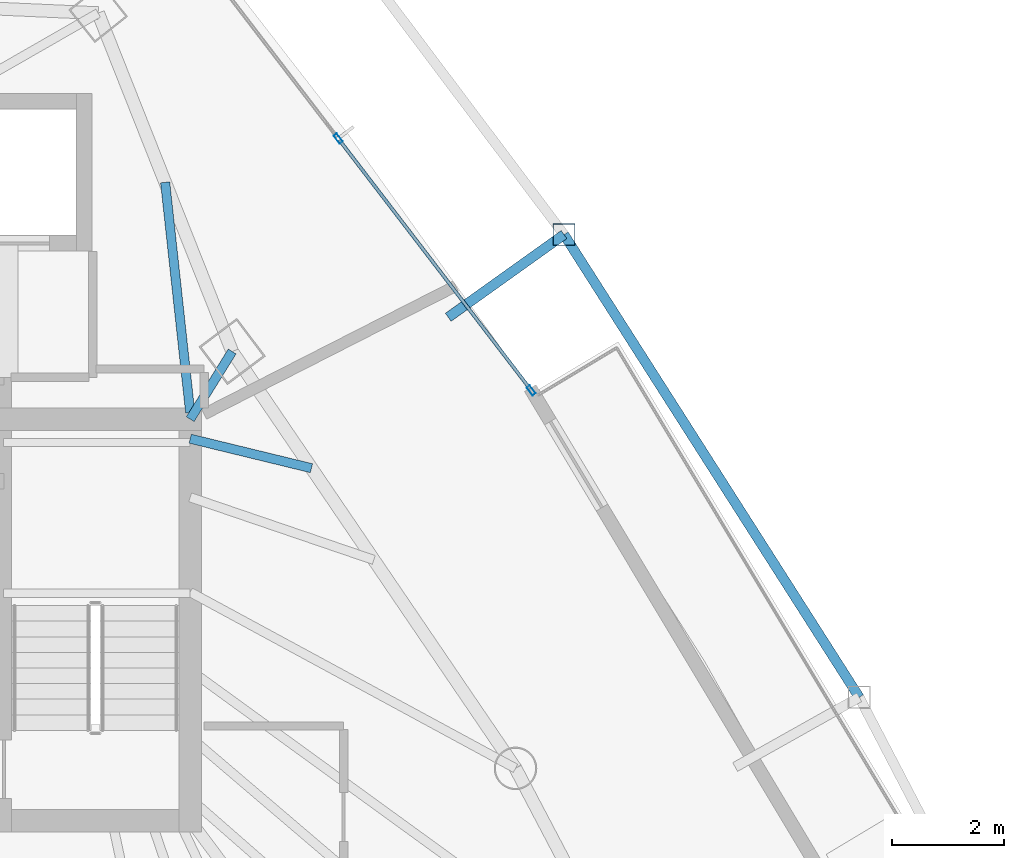
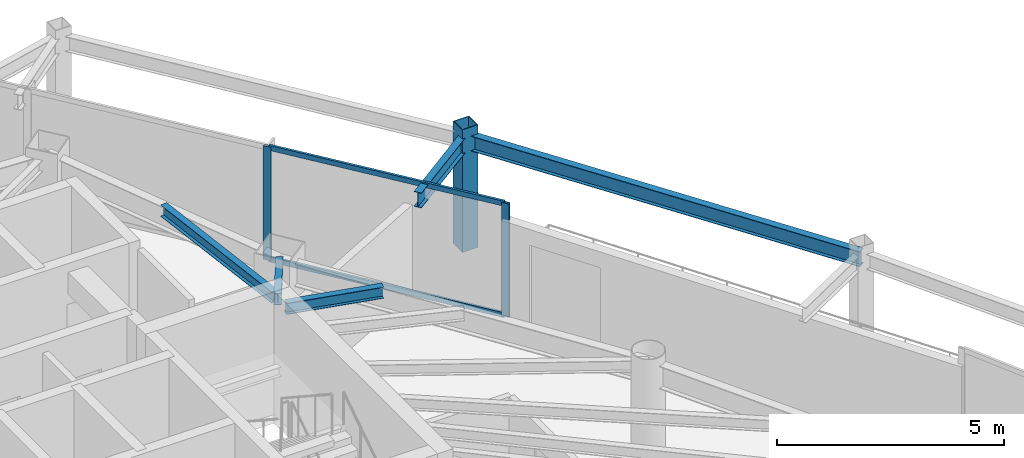
# One storey, part 24 of 31: 5 beams, 5 members, 1 element without a shape of its own.
"""IFC4 building model written with IfcOpenShell, lengths in metres."""

from ifc_helpers import new_model, si_unit, direction, frame, origin, origin_2d, place, context, subcontext, project, spatial, hollow_rectangle, i_section, extrude, material, layer, layer_set, material_profile, profile_set, type_object, element, aggregate, save


model = new_model("IFC4")

# Units and contexts
model_context = context("Model", 3, precision=1e-05, world=origin(), true_north=direction((0.0, 1.0)))
body_context = subcontext(model_context, "Body", "Model", "MODEL_VIEW")
ifc_project = project(units=[si_unit("LENGTHUNIT", "METRE"), si_unit("AREAUNIT", "SQUARE_METRE"), si_unit("VOLUMEUNIT", "CUBIC_METRE"), si_unit("PLANEANGLEUNIT", "RADIAN"), si_unit("MASSUNIT", "GRAM", prefix="KILO")], contexts=[model_context])

# Site, building, storey
site_placement = place(None, origin())
site = spatial("IfcSite", under=ifc_project, at=site_placement, CompositionType="ELEMENT")
building_placement = place(site_placement, origin())
building = spatial("IfcBuilding", under=site, at=building_placement, Name="Orvanel Arch Residences", CompositionType="ELEMENT")
storey_placement = place(building_placement, frame((0.0, 0.0, 126.5)))
storey = spatial("IfcBuildingStorey", under=building, at=storey_placement, Name="L35", CompositionType="ELEMENT", Elevation=126.5)

# Beams
ifc_material_1 = material(Name="Structural steel AS/NZS 3679.1 Grade 300 (300 MPa)", Category="steel")
ifc_material_profile_1 = material_profile(ifc_material_1, i_section(OverallWidth=0.1650390625, OverallDepth=0.303955078125, WebThickness=0.006103515625, FlangeThickness=0.01025390625, at=origin_2d()), Name="310UB40.4")
ifc_profile_set_1 = profile_set([ifc_material_profile_1], Name="Structural steel AS/NZS 3679.1 Grade 300 (300 MPa)")
beam_type_1 = type_object("IfcBeamType", Name="BJ-310UB", PredefinedType="JOIST", material=ifc_profile_set_1)
beam_1_placement = place(storey_placement, frame((39.60009765625, 33.89990234375, 2.907958984375), z_axis=(0.526843290616, 0.84996243866, 0.0), x_axis=(-0.84996243866, 0.526843290616, 0.0)))
element("IfcBeam", 1, at=beam_1_placement, inside=storey, type_object=beam_type_1, Name="L35 NNE Wing Floor Joist", PredefinedType="JOIST", context=body_context, shape_type="SweptSolid", body=[
    extrude(i_section(OverallWidth=0.1650390625, OverallDepth=0.303955078125, WebThickness=0.006103515625, FlangeThickness=0.01025390625, at=origin_2d()), origin(), (0.0, 0.0, 1.0), 1.42724609375),
])
beam_2_placement = place(storey_placement, frame((39.60009765625, 34.02001953125, 2.907958984375), z_axis=(-0.108261441852, 0.99412245735, 0.0), x_axis=(-0.99412245735, -0.108261441852, 0.0)))
element("IfcBeam", 2, at=beam_2_placement, inside=storey, type_object=beam_type_1, Name="L35 NNE2 Wing Floor Joist", PredefinedType="JOIST", context=body_context, shape_type="SweptSolid", body=[
    extrude(i_section(OverallWidth=0.1650390625, OverallDepth=0.303955078125, WebThickness=0.006103515625, FlangeThickness=0.01025390625, at=origin_2d()), origin(), (0.0, 0.0, 1.0), 4.1494140625),
])
beam_3_placement = place(storey_placement, frame((39.60009765625, 33.550048828125, 2.907958984375), z_axis=(0.971638471014, -0.236471312521, 0.0), x_axis=(0.236471312521, 0.971638471014, 0.0)))
element("IfcBeam", 3, at=beam_3_placement, inside=storey, type_object=beam_type_1, Name="L35 JADD4 Wing Floor Joist", PredefinedType="JOIST", context=body_context, shape_type="SweptSolid", body=[
    extrude(i_section(OverallWidth=0.1650390625, OverallDepth=0.303955078125, WebThickness=0.006103515625, FlangeThickness=0.01025390625, at=origin_2d()), origin(), (0.0, 0.0, 1.0), 2.2373046875),
])

# Curtain wall, members
ifc_material_2 = material(Name="Bronze-anodised aluminium AA6063-T6", Category="aluminium")
ifc_layer = layer(ifc_material_2, 0.179931640625)
ifc_layer_set = layer_set([ifc_layer], Name="Bronze-anodised aluminium AA6063-T6")
curtain_wall_type = type_object("IfcCurtainWallType", Name="CW3-MID-SYS", PredefinedType="NOTDEFINED", material=ifc_layer_set)
curtain_wall_placement = place(storey_placement, origin())
curtain_wall = element("IfcCurtainWall", 4, at=curtain_wall_placement, inside=storey, type_object=curtain_wall_type, Name="L35 CW3-MID-SYS Unitised Curtain Wall", PredefinedType="NOTDEFINED")
ifc_material_profile_2 = material_profile(ifc_material_2, hollow_rectangle(XDim=0.070068359375, YDim=0.179931640625, WallThickness=0.00439453125, at=origin_2d()), Name="ALU180x70x4.5")
ifc_profile_set_2 = profile_set([ifc_material_profile_2], Name="Bronze-anodised aluminium AA6063-T6")
member_type_1 = type_object("IfcMemberType", Name="MUL-180x70", PredefinedType="MULLION", material=ifc_profile_set_2)
member_1_placement = place(storey_placement, frame((45.712646484375, 34.416748046875, 0.0), z_axis=(0.0, 0.0, 1.0), x_axis=(-0.793686048697, -0.608327589465, 0.0)))
member_1 = element("IfcMember", 5, at=member_1_placement, type_object=member_type_1, Name="CW-S3 mullion 1", PredefinedType="MULLION", context=body_context, shape_type="SweptSolid", body=[
    extrude(hollow_rectangle(XDim=0.070068359375, YDim=0.179931640625, WallThickness=0.00439453125, at=origin_2d()), origin(), (0.0, 0.0, 1.0), 3.06005859375),
])
member_2_placement = place(storey_placement, frame((42.2529296875, 38.9306640625, 0.0), z_axis=(0.0, 0.0, 1.0), x_axis=(-0.793686048697, -0.608327589465, 0.0)))
member_2 = element("IfcMember", 6, at=member_2_placement, type_object=member_type_1, Name="CW-S3 mullion 2", PredefinedType="MULLION", context=body_context, shape_type="SweptSolid", body=[
    extrude(hollow_rectangle(XDim=0.070068359375, YDim=0.179931640625, WallThickness=0.00439453125, at=origin_2d()), origin(), (0.0, 0.0, 1.0), 3.06005859375),
])

# Beams
ifc_material_profile_3 = material_profile(ifc_material_1, i_section(OverallWidth=0.177978515625, OverallDepth=0.406005859375, WebThickness=0.0078125, FlangeThickness=0.0126953125, at=origin_2d()), Name="410UB59.7")
ifc_profile_set_3 = profile_set([ifc_material_profile_3], Name="Structural steel AS/NZS 3679.1 Grade 300 (300 MPa)")
beam_type_2 = type_object("IfcBeamType", Name="OB-410UB-EXT", PredefinedType="SPANDREL", material=ifc_profile_set_3)
beam_4_placement = place(storey_placement, frame((51.592041015625, 28.9140625, 2.85693359375), z_axis=(-0.537844884876, 0.843043818442, 0.0), x_axis=(-0.843043818442, -0.537844884876, 0.0)))
element("IfcBeam", 7, at=beam_4_placement, inside=storey, type_object=beam_type_2, Name="L35 Outer Perimeter Floor Ring Beam 10", PredefinedType="SPANDREL", context=body_context, shape_type="SweptSolid", body=[
    extrude(i_section(OverallWidth=0.177978515625, OverallDepth=0.406005859375, WebThickness=0.0078125, FlangeThickness=0.0126953125, at=origin_2d()), origin(), (0.0, 0.0, 1.0), 9.83935546875),
])
beam_5_placement = place(storey_placement, frame((44.22509765625, 35.72607421875, 2.85693359375), z_axis=(0.813584679456, 0.581446445819, 0.0), x_axis=(-0.581446445819, 0.813584679456, 0.0)))
element("IfcBeam", 8, at=beam_5_placement, inside=storey, type_object=beam_type_2, Name="L35 Outer Frame Radial Tie Beam 11", PredefinedType="SPANDREL", context=body_context, shape_type="SweptSolid", body=[
    extrude(i_section(OverallWidth=0.177978515625, OverallDepth=0.406005859375, WebThickness=0.0078125, FlangeThickness=0.0126953125, at=origin_2d()), origin(), (0.0, 0.0, 1.0), 2.55029296875),
])

# Member
ifc_material_3 = material(Name="Structural steel AS/NZS 1163 C450L0 (Grade 450)", Category="steel")
ifc_material_profile_4 = material_profile(ifc_material_3, hollow_rectangle(XDim=0.39990234375, YDim=0.39990234375, WallThickness=0.01611328125, at=origin_2d()), Name="SHS400x400x16")
ifc_profile_set_4 = profile_set([ifc_material_profile_4], Name="Structural steel AS/NZS 1163 C450L0 (Grade 450)")
member_type_2 = type_object("IfcMemberType", Name="ST-400SHS-EXT", PredefinedType="STRUT", material=ifc_profile_set_4)
member_3_placement = place(storey_placement, frame((46.300048828125, 37.208984375, 0.0), z_axis=(0.0, 0.0, 1.0), x_axis=(1.0, 0.0, 0.0)))
element("IfcMember", 9, at=member_3_placement, inside=storey, type_object=member_type_2, Name="L35 Outer Perimeter Frame Post 11", PredefinedType="STRUT", context=body_context, shape_type="SweptSolid", body=[
    extrude(hollow_rectangle(XDim=0.39990234375, YDim=0.39990234375, WallThickness=0.01611328125, at=origin_2d()), origin(), (0.0, 0.0, 1.0), 3.300048828125),
])

ifc_material_profile_5 = material_profile(ifc_material_2, hollow_rectangle(XDim=0.06005859375, YDim=0.135009765625, WallThickness=0.00390625, at=origin_2d()), Name="ALU135x60x4")
ifc_profile_set_5 = profile_set([ifc_material_profile_5], Name="Bronze-anodised aluminium AA6063-T6")
member_type_3 = type_object("IfcMemberType", Name="TRN-135x60", PredefinedType="USERDEFINED", material=ifc_profile_set_5)
member_4_placement = place(storey_placement, frame((45.69140625, 34.444580078125, 0.030029296875), z_axis=(-0.608346683085, 0.793671413861, 0.0), x_axis=(-0.793671413861, -0.608346683085, 0.0)))
member_4 = element("IfcMember", 10, at=member_4_placement, type_object=member_type_3, Name="CW-S3 transom 1.1", ObjectType="TRANSOM", PredefinedType="USERDEFINED", context=body_context, shape_type="SweptSolid", body=[
    extrude(hollow_rectangle(XDim=0.06005859375, YDim=0.135009765625, WallThickness=0.00390625, at=origin_2d()), origin(), (0.0, 0.0, 1.0), 5.6171875),
])

member_5_placement = place(storey_placement, frame((45.69140625, 34.444580078125, 3.030029296875), z_axis=(-0.608346683085, 0.793671413861, 0.0), x_axis=(-0.793671413861, -0.608346683085, 0.0)))
member_5 = element("IfcMember", 11, at=member_5_placement, type_object=member_type_3, Name="CW-S3 transom 1.2", ObjectType="TRANSOM", PredefinedType="USERDEFINED", context=body_context, shape_type="SweptSolid", body=[
    extrude(hollow_rectangle(XDim=0.06005859375, YDim=0.135009765625, WallThickness=0.00390625, at=origin_2d()), origin(), (0.0, 0.0, 1.0), 5.6171875),
])

aggregate(curtain_wall, [member_1, member_2, member_4, member_5])

save(model, "model.ifc")
